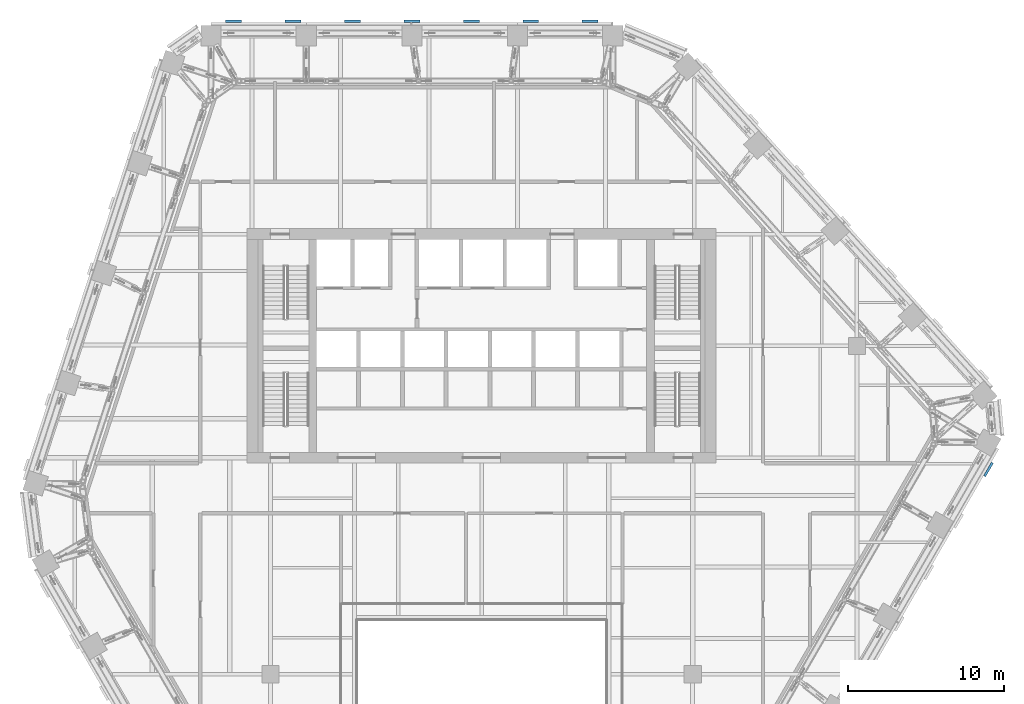
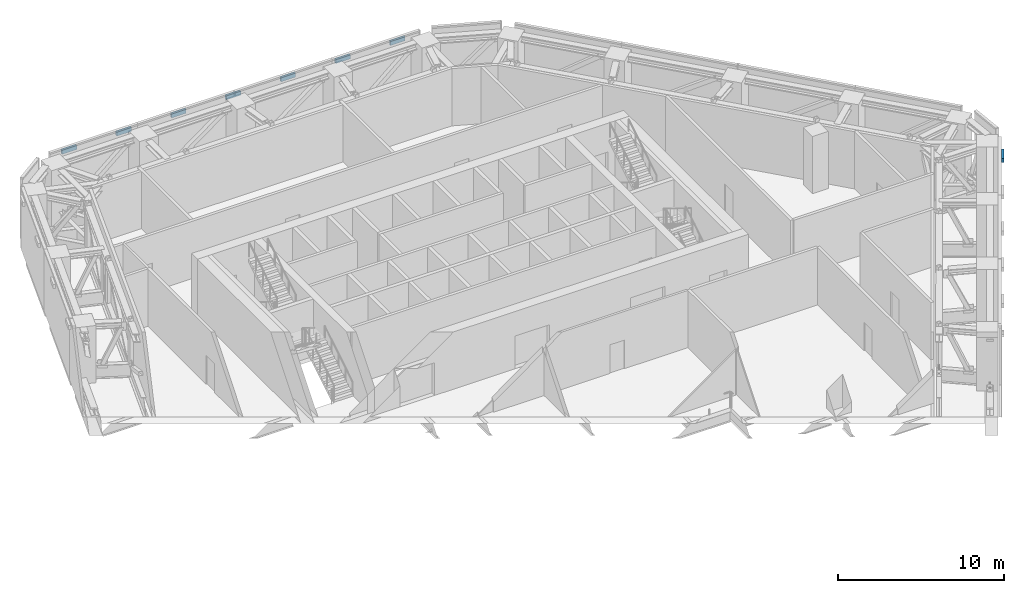
# One storey, part 19 of 26: 8 discrete accessories.
"""IFC4 building model written with IfcOpenShell, lengths in metres."""

from ifc_helpers import new_model, si_unit, direction, frame, origin, origin_2d, place, context, subcontext, project, spatial, rectangle, extrude, material, type_object, element, save


model = new_model("IFC4")

# Units and contexts
model_context = context("Model", 3, precision=1e-05, world=origin(), true_north=direction((0.0, 1.0)))
body_context = subcontext(model_context, "Body", "Model", "MODEL_VIEW")
ifc_project = project(units=[si_unit("LENGTHUNIT", "METRE"), si_unit("AREAUNIT", "SQUARE_METRE"), si_unit("VOLUMEUNIT", "CUBIC_METRE"), si_unit("PLANEANGLEUNIT", "RADIAN"), si_unit("MASSUNIT", "GRAM", prefix="KILO")], contexts=[model_context])

# Site, building, storey
site_placement = place(None, origin())
site = spatial("IfcSite", under=ifc_project, at=site_placement, CompositionType="ELEMENT")
building_placement = place(site_placement, origin())
building = spatial("IfcBuilding", under=site, at=building_placement, Name="Isthmus Gate Tower", CompositionType="ELEMENT")
storey_placement = place(building_placement, frame((0.0, 0.0, 207.300048828125)))
storey = spatial("IfcBuildingStorey", under=building, at=storey_placement, Name="L52", CompositionType="ELEMENT", Elevation=207.300048828125)

# Discrete accessories
ifc_material = material(Name="Structural steel ASTM A572 Gr 50, white paint system", Category="steel")
discrete_accessory_type = type_object("IfcDiscreteAccessoryType", Name="FIN BRACKET 1016 X 150 X 300", PredefinedType="BRACKET", material=ifc_material)
for number, where, z_axis, x_axis, name in (
    (1, (6.938232421875, 28.27490234375, 3.94970703125), (0.0, 0.0, 1.0), (0.0, 1.0, 0.0), "FIN BRACKET"),
    (2, (3.13818359375, 28.27490234375, 3.94970703125), (0.0, 0.0, 1.0), (0.0, 1.0, 0.0), "FIN BRACKET"),
    (3, (-0.66162109375, 28.27490234375, 3.94970703125), (0.0, 0.0, 1.0), (0.0, 1.0, 0.0), "FIN BRACKET"),
    (4, (-4.461669921875, 28.27490234375, 3.94970703125), (0.0, 0.0, 1.0), (0.0, 1.0, 0.0), "FIN BRACKET"),
    (5, (-8.26171875, 28.27490234375, 3.94970703125), (0.0, 0.0, 1.0), (0.0, 1.0, 0.0), "FIN BRACKET"),
    (6, (-12.061767578125, 28.27490234375, 3.94970703125), (0.0, 0.0, 1.0), (0.0, 1.0, 0.0), "FIN BRACKET"),
    (7, (-15.86181640625, 28.27490234375, 3.94970703125), (0.0, 0.0, 1.0), (0.0, 1.0, 0.0), "FIN BRACKET"),
    (8, (32.417724609375, -0.40087890625, 3.94970703125), (0.0, 0.0, 1.0), (0.866025403784, -0.5, 0.0), "FIN BRACKET"),
):
    element("IfcDiscreteAccessory", number, at=place(storey_placement, frame(where, z_axis=z_axis, x_axis=x_axis)), inside=storey, type_object=discrete_accessory_type, Name=name, PredefinedType="BRACKET", context=body_context, shape_type="SweptSolid", body=[
        extrude(rectangle(XDim=0.14990234375, YDim=1.01611328125, at=origin_2d()), origin(), (0.0, 0.0, 1.0), 0.300048828125),
    ])

save(model, "model.ifc")
